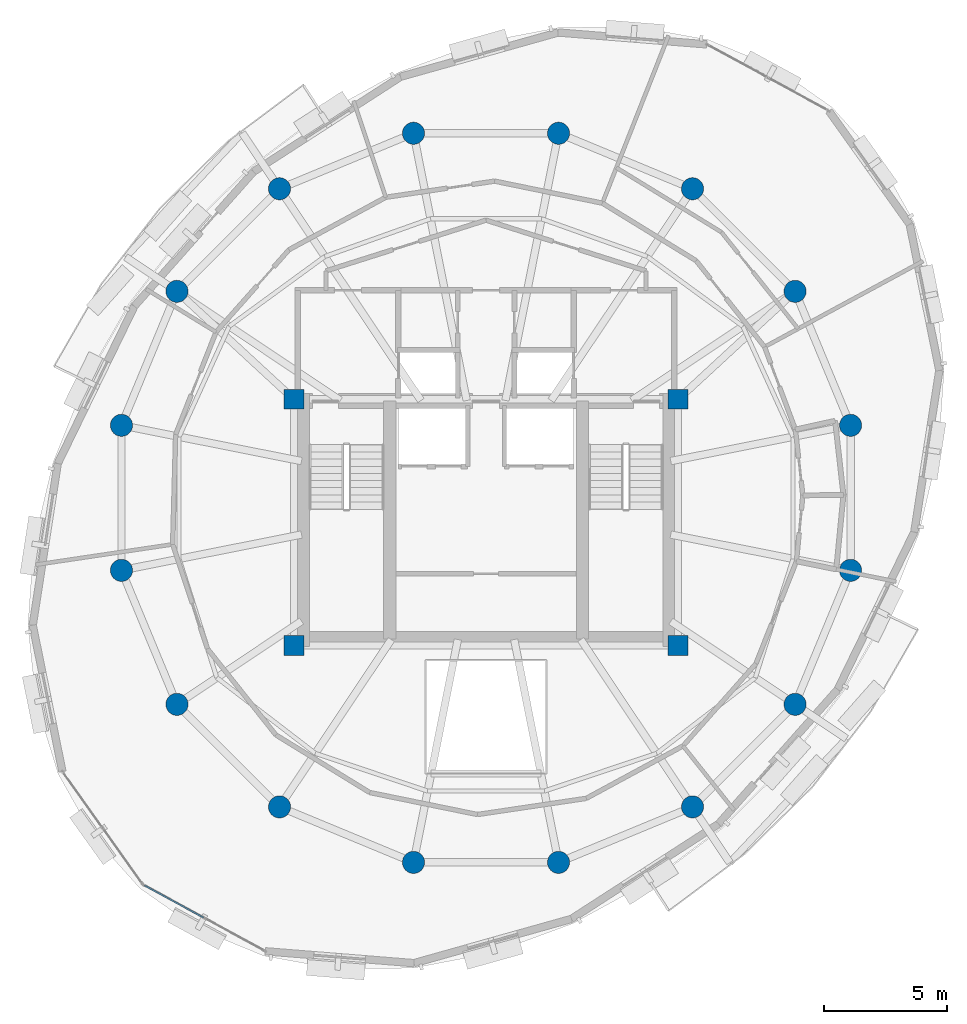
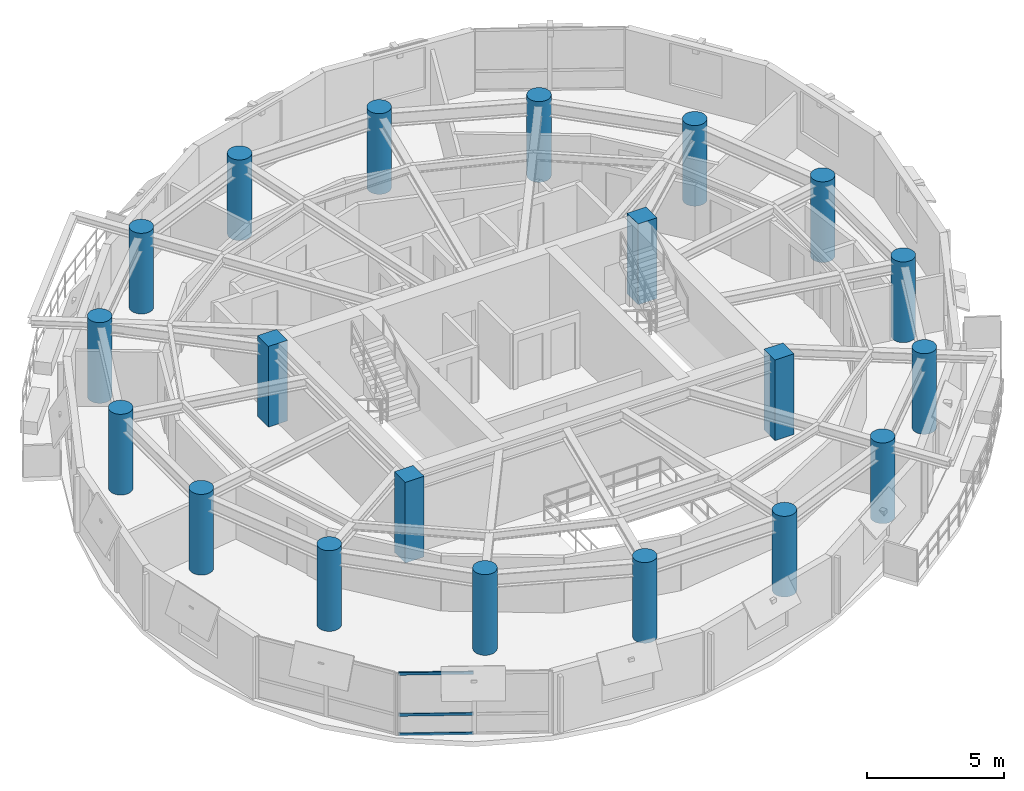
# One storey, part 1 of 11: 20 columns, 3 members, 1 element without a shape of its own.
"""IFC4 building model written with IfcOpenShell, lengths in metres."""

from ifc_helpers import new_model, si_unit, direction, frame, origin, origin_2d, place, context, subcontext, project, spatial, rectangle, hollow_rectangle, circle, extrude, material, layer, layer_set, material_profile, profile_set, type_object, element, aggregate, save


model = new_model("IFC4")

# Units and contexts
model_context = context("Model", 3, precision=1e-05, world=origin(), true_north=direction((0.0, 1.0)))
body_context = subcontext(model_context, "Body", "Model", "MODEL_VIEW")
ifc_project = project(units=[si_unit("LENGTHUNIT", "METRE"), si_unit("AREAUNIT", "SQUARE_METRE"), si_unit("VOLUMEUNIT", "CUBIC_METRE"), si_unit("PLANEANGLEUNIT", "RADIAN"), si_unit("MASSUNIT", "GRAM", prefix="KILO"), si_unit("THERMODYNAMICTEMPERATUREUNIT", "KELVIN"), si_unit("POWERUNIT", "WATT")], contexts=[model_context])

# Site, building, storey
site_placement = place(None, origin())
site = spatial("IfcSite", under=ifc_project, at=site_placement, CompositionType="ELEMENT")
building_placement = place(site_placement, origin())
building = spatial("IfcBuilding", under=site, at=building_placement, Name="Ocrelia Relay Tower", CompositionType="ELEMENT")
storey_placement = place(building_placement, frame((0.0, 0.0, 234.0)))
storey = spatial("IfcBuildingStorey", under=building, at=storey_placement, Name="L57", CompositionType="ELEMENT", Elevation=234.0)

# Columns
ifc_material_1 = material(Name="Concrete C50/60", Category="concrete")
ifc_material_profile_1 = material_profile(ifc_material_1, circle(Radius=0.449951171875, at=origin_2d()), Name="RC-CIR-900")
ifc_profile_set_1 = profile_set([ifc_material_profile_1], Name="Concrete C50/60")
column_type_1 = type_object("IfcColumnType", Name="COL-CT-900", PredefinedType="COLUMN", material=ifc_profile_set_1)
for number, where, z_axis, x_axis, name in (
    (1, (48.809814453125, 28.94580078125, 0.0), (0.0, 0.0, 1.0), (1.0, 0.0, 0.0), "L57 Perimeter Ring Column C01"),
    (2, (46.55517578125, 34.38916015625, 0.0), (0.0, 0.0, 1.0), (1.0, 0.0, 0.0), "L57 Perimeter Ring Column C02"),
    (3, (42.38916015625, 38.55517578125, 0.0), (0.0, 0.0, 1.0), (1.0, 0.0, 0.0), "L57 Perimeter Ring Column C03"),
    (4, (36.94580078125, 40.809814453125, 0.0), (0.0, 0.0, 1.0), (1.0, 0.0, 0.0), "L57 Perimeter Ring Column C04"),
    (5, (31.05419921875, 40.809814453125, 0.0), (0.0, 0.0, 1.0), (1.0, 0.0, 0.0), "L57 Perimeter Ring Column C05"),
    (6, (25.61083984375, 38.55517578125, 0.0), (0.0, 0.0, 1.0), (1.0, 0.0, 0.0), "L57 Perimeter Ring Column C06"),
    (7, (21.44482421875, 34.38916015625, 0.0), (0.0, 0.0, 1.0), (1.0, 0.0, 0.0), "L57 Perimeter Ring Column C07"),
    (8, (19.190185546875, 28.94580078125, 0.0), (0.0, 0.0, 1.0), (1.0, 0.0, 0.0), "L57 Perimeter Ring Column C08"),
    (9, (19.190185546875, 23.05419921875, 0.0), (0.0, 0.0, 1.0), (1.0, 0.0, 0.0), "L57 Perimeter Ring Column C09"),
    (10, (21.44482421875, 17.61083984375, 0.0), (0.0, 0.0, 1.0), (1.0, 0.0, 0.0), "L57 Perimeter Ring Column C10"),
    (11, (25.61083984375, 13.44482421875, 0.0), (0.0, 0.0, 1.0), (1.0, 0.0, 0.0), "L57 Perimeter Ring Column C11"),
    (12, (31.05419921875, 11.190185546875, 0.0), (0.0, 0.0, 1.0), (1.0, 0.0, 0.0), "L57 Perimeter Ring Column C12"),
    (13, (36.94580078125, 11.190185546875, 0.0), (0.0, 0.0, 1.0), (1.0, 0.0, 0.0), "L57 Perimeter Ring Column C13"),
    (14, (42.38916015625, 13.44482421875, 0.0), (0.0, 0.0, 1.0), (1.0, 0.0, 0.0), "L57 Perimeter Ring Column C14"),
    (15, (46.55517578125, 17.61083984375, 0.0), (0.0, 0.0, 1.0), (1.0, 0.0, 0.0), "L57 Perimeter Ring Column C15"),
    (16, (48.809814453125, 23.05419921875, 0.0), (0.0, 0.0, 1.0), (1.0, 0.0, 0.0), "L57 Perimeter Ring Column C16"),
):
    element("IfcColumn", number, at=place(storey_placement, frame(where, z_axis=z_axis, x_axis=x_axis)), inside=storey, type_object=column_type_1, Name=name, PredefinedType="COLUMN", context=body_context, shape_type="SweptSolid", body=[
        extrude(circle(Radius=0.449951171875, at=origin_2d()), origin(), (0.0, 0.0, 1.0), 3.60009765625),
    ])
ifc_material_2 = material(Name="Concrete C60/75", Category="concrete")
ifc_material_profile_2 = material_profile(ifc_material_2, rectangle(XDim=0.800048828125, YDim=0.800048828125, at=origin_2d()), Name="RC-COL-800x800")
ifc_profile_set_2 = profile_set([ifc_material_profile_2], Name="Concrete C60/75")
column_type_2 = type_object("IfcColumnType", Name="COL-PILASTER-800", PredefinedType="PILASTER", material=ifc_profile_set_2)
for number, where, z_axis, x_axis, name in (
    (17, (26.199951171875, 20.0, 0.0), (0.0, 0.0, 1.0), (1.0, 0.0, 0.0), "L57 Core Corner Pilaster SW"),
    (18, (41.800048828125, 20.0, 0.0), (0.0, 0.0, 1.0), (1.0, 0.0, 0.0), "L57 Core Corner Pilaster SE"),
    (19, (26.199951171875, 30.0, 0.0), (0.0, 0.0, 1.0), (1.0, 0.0, 0.0), "L57 Core Corner Pilaster NW"),
    (20, (41.800048828125, 30.0, 0.0), (0.0, 0.0, 1.0), (1.0, 0.0, 0.0), "L57 Core Corner Pilaster NE"),
):
    element("IfcColumn", number, at=place(storey_placement, frame(where, z_axis=z_axis, x_axis=x_axis)), inside=storey, type_object=column_type_2, Name=name, PredefinedType="PILASTER", context=body_context, shape_type="SweptSolid", body=[
        extrude(rectangle(XDim=0.800048828125, YDim=0.800048828125, at=origin_2d()), origin(), (0.0, 0.0, 1.0), 3.60009765625),
    ])

# Curtain wall, members
ifc_material_3 = material(Name="Aluminium and solar-control low-E glass", Category="aluminium")
ifc_layer = layer(ifc_material_3, 0.179931640625, Name="Aluminium and solar-control low-E glass")
ifc_layer_set = layer_set([ifc_layer], Name="Aluminium and solar-control low-E glass")
curtain_wall_type = type_object("IfcCurtainWallType", Name="CW-SYS-Z4-EXEC", PredefinedType="NOTDEFINED", material=ifc_layer_set)
curtain_wall_placement = place(storey_placement, origin())
curtain_wall = element("IfcCurtainWall", 21, at=curtain_wall_placement, inside=storey, type_object=curtain_wall_type, Name="L57 Elliptical Tower Curtain Wall Bay 10", PredefinedType="NOTDEFINED")
ifc_material_4 = material(Name="Anodised bronze aluminium", Category="aluminium")
ifc_material_profile_3 = material_profile(ifc_material_4, hollow_rectangle(XDim=0.06005859375, YDim=0.1201171875, WallThickness=0.0048828125, at=origin_2d()), Name="CW-TRN-120x60")
ifc_profile_set_3 = profile_set([ifc_material_profile_3], Name="Anodised bronze aluminium")
member_type = type_object("IfcMemberType", Name="CW-SYS-Z4-EXEC-TRN", PredefinedType="USERDEFINED", material=ifc_profile_set_3)
member_1_placement = place(storey_placement, frame((20.12841796875, 10.2529296875, 0.030029296875), z_axis=(0.877984495711, -0.478689069534, 0.0), x_axis=(0.478689069534, 0.877984495711, 0.0)))
member_1 = element("IfcMember", 22, at=member_1_placement, type_object=member_type, Name="CW-Z4 transom 1.1", ObjectType="TRANSOM", PredefinedType="USERDEFINED", context=body_context, shape_type="SweptSolid", body=[
    extrude(hollow_rectangle(XDim=0.06005859375, YDim=0.1201171875, WallThickness=0.0048828125, at=origin_2d()), origin(), (0.0, 0.0, 1.0), 2.7275390625),
])
member_2_placement = place(storey_placement, frame((20.12841796875, 10.2529296875, 0.89990234375), z_axis=(0.877984495711, -0.478689069534, 0.0), x_axis=(0.478689069534, 0.877984495711, 0.0)))
member_2 = element("IfcMember", 23, at=member_2_placement, type_object=member_type, Name="CW-Z4 transom 1.2", ObjectType="TRANSOM", PredefinedType="USERDEFINED", context=body_context, shape_type="SweptSolid", body=[
    extrude(hollow_rectangle(XDim=0.06005859375, YDim=0.1201171875, WallThickness=0.0048828125, at=origin_2d()), origin(), (0.0, 0.0, 1.0), 2.7275390625),
])
member_3_placement = place(storey_placement, frame((20.12841796875, 10.2529296875, 2.72998046875), z_axis=(0.877984495711, -0.478689069534, 0.0), x_axis=(0.478689069534, 0.877984495711, 0.0)))
member_3 = element("IfcMember", 24, at=member_3_placement, type_object=member_type, Name="CW-Z4 transom 1.3", ObjectType="TRANSOM", PredefinedType="USERDEFINED", context=body_context, shape_type="SweptSolid", body=[
    extrude(hollow_rectangle(XDim=0.06005859375, YDim=0.1201171875, WallThickness=0.0048828125, at=origin_2d()), origin(), (0.0, 0.0, 1.0), 2.7275390625),
])
aggregate(curtain_wall, [member_1, member_2, member_3])

save(model, "model.ifc")
